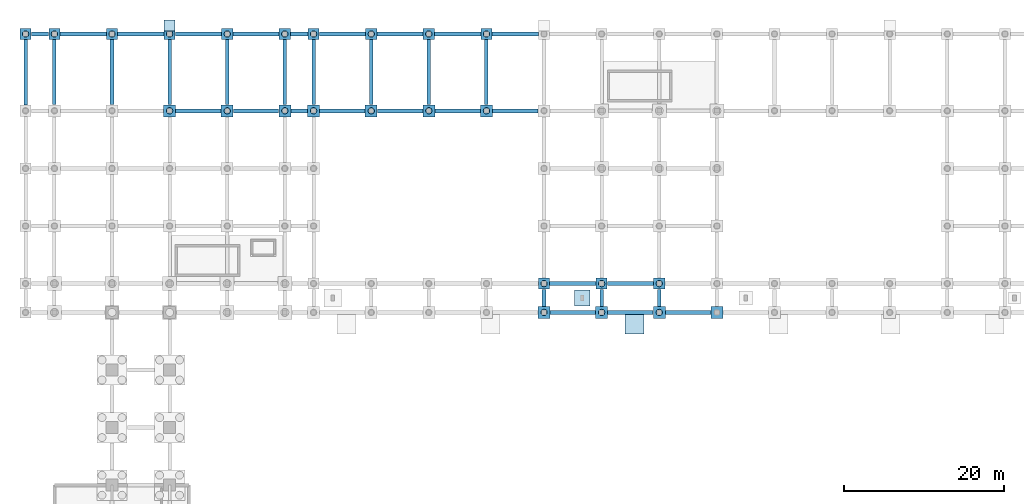
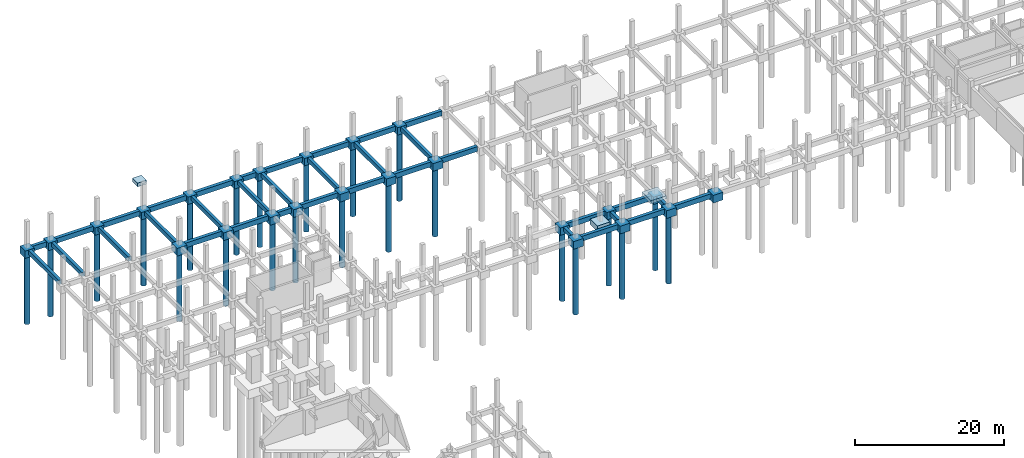
# One storey, part 5 of 20: 62 footings, 23 piles.
"""IFC4 building model written with IfcOpenShell, lengths in metres."""

from ifc_helpers import new_model, si_unit, direction, frame, origin, origin_2d, place, context, subcontext, project, spatial, polyline, rectangle, circle, outline, extrude, material, material_profile, profile_set, type_object, element, save


model = new_model("IFC4")

# Units and contexts
model_context = context("Model", 3, precision=1e-05, world=origin(), true_north=direction((0.0, 1.0)))
body_context = subcontext(model_context, "Body", "Model", "MODEL_VIEW")
ifc_project = project(units=[si_unit("LENGTHUNIT", "METRE"), si_unit("AREAUNIT", "SQUARE_METRE"), si_unit("VOLUMEUNIT", "CUBIC_METRE"), si_unit("PLANEANGLEUNIT", "RADIAN"), si_unit("MASSUNIT", "GRAM", prefix="KILO")], contexts=[model_context])

# Site, building, storey
site_placement = place(None, origin())
site = spatial("IfcSite", under=ifc_project, at=site_placement, CompositionType="ELEMENT")
building_placement = place(site_placement, origin())
building = spatial("IfcBuilding", under=site, at=building_placement, Name="Nzembalo Square Collegiate School", CompositionType="ELEMENT")
storey_placement = place(building_placement, frame((0.0, 0.0, -4.080078125)))
storey = spatial("IfcBuildingStorey", under=building, at=storey_placement, Name="B1", CompositionType="ELEMENT", Elevation=-4.080078125)

# Footings
ifc_material_1 = material(Name="Concrete C35/45", Category="concrete")
footing_type_1 = type_object("IfcFootingType", Name="PC06", PredefinedType="PILE_CAP", material=ifc_material_1)
for number, where, z_axis, x_axis, name in (
    (1, (62.39990234375, 104.39990234375, -1.5498046875), (0.0, 0.0, 1.0), (1.0, 0.0, 0.0), "Pile cap PC06 at 10/P"),
    (2, (69.60009765625, 79.199951171875, -1.5498046875), (0.0, 0.0, 1.0), (1.0, 0.0, 0.0), "Pile cap PC06 at 11/L"),
    (3, (76.800048828125, 79.199951171875, -1.5498046875), (0.0, 0.0, 1.0), (1.0, 0.0, 0.0), "Pile cap PC06 at 12/L"),
    (4, (84.0, 79.199951171875, -1.5498046875), (0.0, 0.0, 1.0), (1.0, 0.0, 0.0), "Pile cap PC06 at 13/L"),
    (5, (91.199951171875, 79.199951171875, -1.5498046875), (0.0, 0.0, 1.0), (1.0, 0.0, 0.0), "Pile cap PC06 at 14/L"),
    (6, (22.800048828125, 104.39990234375, -1.5498046875), (0.0, 0.0, 1.0), (1.0, 0.0, 0.0), "Pile cap PC06 at 4/P"),
    (7, (30.0, 104.39990234375, -1.5498046875), (0.0, 0.0, 1.0), (1.0, 0.0, 0.0), "Pile cap PC06 at 5/P"),
    (8, (37.199951171875, 104.39990234375, -1.5498046875), (0.0, 0.0, 1.0), (1.0, 0.0, 0.0), "Pile cap PC06 at 6/P"),
    (9, (40.800048828125, 104.39990234375, -1.5498046875), (0.0, 0.0, 1.0), (1.0, 0.0, 0.0), "Pile cap PC06 at 7/P"),
    (10, (48.0, 104.39990234375, -1.5498046875), (0.0, 0.0, 1.0), (1.0, 0.0, 0.0), "Pile cap PC06 at 8/P"),
    (11, (55.199951171875, 104.39990234375, -1.5498046875), (0.0, 0.0, 1.0), (1.0, 0.0, 0.0), "Pile cap PC06 at 9/P"),
):
    element("IfcFooting", number, at=place(storey_placement, frame(where, z_axis=z_axis, x_axis=x_axis)), inside=storey, type_object=footing_type_1, Name=name, PredefinedType="PILE_CAP", context=body_context, shape_type="SweptSolid", body=[
        extrude(rectangle(XDim=1.5, YDim=1.5, at=origin_2d()), origin(), (0.0, 0.0, 1.0), 1.25),
    ])
ifc_material_2 = material(Name="Concrete C35/45", Category="concrete")
footing_type_2 = type_object("IfcFootingType", Name="PC07", PredefinedType="PILE_CAP", material=ifc_material_2)
for number, where, z_axis, x_axis, name in (
    (12, (4.800048828125, 114.0, -1.5), (0.0, 0.0, 1.0), (1.0, 0.0, 0.0), "Pile cap PC07 at 1/Q"),
    (13, (62.39990234375, 114.0, -1.5), (0.0, 0.0, 1.0), (1.0, 0.0, 0.0), "Pile cap PC07 at 10/Q"),
    (14, (69.60009765625, 82.800048828125, -1.5), (0.0, 0.0, 1.0), (1.0, 0.0, 0.0), "Pile cap PC07 at 11/M"),
    (15, (76.800048828125, 82.800048828125, -1.5), (0.0, 0.0, 1.0), (1.0, 0.0, 0.0), "Pile cap PC07 at 12/M"),
    (16, (84.0, 82.800048828125, -1.5), (0.0, 0.0, 1.0), (1.0, 0.0, 0.0), "Pile cap PC07 at 13/M"),
    (17, (8.39990234375, 114.0, -1.5), (0.0, 0.0, 1.0), (1.0, 0.0, 0.0), "Pile cap PC07 at 2/Q"),
    (18, (15.60009765625, 114.0, -1.5), (0.0, 0.0, 1.0), (1.0, 0.0, 0.0), "Pile cap PC07 at 3/Q"),
    (19, (22.800048828125, 114.0, -1.5), (0.0, 0.0, 1.0), (1.0, 0.0, 0.0), "Pile cap PC07 at 4/Q"),
    (20, (30.0, 114.0, -1.5), (0.0, 0.0, 1.0), (1.0, 0.0, 0.0), "Pile cap PC07 at 5/Q"),
    (21, (37.199951171875, 114.0, -1.5), (0.0, 0.0, 1.0), (1.0, 0.0, 0.0), "Pile cap PC07 at 6/Q"),
    (22, (40.800048828125, 114.0, -1.5), (0.0, 0.0, 1.0), (1.0, 0.0, 0.0), "Pile cap PC07 at 7/Q"),
    (23, (48.0, 114.0, -1.5), (0.0, 0.0, 1.0), (1.0, 0.0, 0.0), "Pile cap PC07 at 8/Q"),
    (24, (55.199951171875, 114.0, -1.5), (0.0, 0.0, 1.0), (1.0, 0.0, 0.0), "Pile cap PC07 at 9/Q"),
):
    element("IfcFooting", number, at=place(storey_placement, frame(where, z_axis=z_axis, x_axis=x_axis)), inside=storey, type_object=footing_type_2, Name=name, PredefinedType="PILE_CAP", context=body_context, shape_type="SweptSolid", body=[
        extrude(rectangle(XDim=1.39990234375, YDim=1.39990234375, at=origin_2d()), origin(), (0.0, 0.0, 1.0), 1.199951171875),
    ])
ifc_material_3 = material(Name="Concrete C30/37", Category="concrete")
footing_type_3 = type_object("IfcFootingType", Name="FG01", PredefinedType="FOOTING_BEAM", material=ifc_material_3)
footing_1_placement = place(storey_placement, frame((0.0, 0.0, -1.099853515625)))
element("IfcFooting", 25, at=footing_1_placement, inside=storey, type_object=footing_type_3, Name="Ground beam FG01 11-12/L", PredefinedType="FOOTING_BEAM", context=body_context, shape_type="SweptSolid", body=[
    extrude(outline(polyline([(70.360107421875, 78.949951171875), (76.0400390625, 78.949951171875), (76.0400390625, 79.449951171875), (70.360107421875, 79.449951171875), (70.360107421875, 78.949951171875)])), origin(), (0.0, 0.0, 1.0), 0.800048828125),
])
footing_2_placement = place(storey_placement, frame((0.0, 0.0, -1.099853515625)))
element("IfcFooting", 26, at=footing_2_placement, inside=storey, type_object=footing_type_3, Name="Ground beam FG01 12-13/L", PredefinedType="FOOTING_BEAM", context=body_context, shape_type="SweptSolid", body=[
    extrude(outline(polyline([(77.56005859375, 78.949951171875), (83.239990234375, 78.949951171875), (83.239990234375, 79.449951171875), (77.56005859375, 79.449951171875), (77.56005859375, 78.949951171875)])), origin(), (0.0, 0.0, 1.0), 0.800048828125),
])
footing_3_placement = place(storey_placement, frame((0.0, 0.0, -1.099853515625)))
element("IfcFooting", 27, at=footing_3_placement, inside=storey, type_object=footing_type_3, Name="Ground beam FG01 13-14/L", PredefinedType="FOOTING_BEAM", context=body_context, shape_type="SweptSolid", body=[
    extrude(outline(polyline([(84.760009765625, 78.949951171875), (90.43994140625, 78.949951171875), (90.43994140625, 79.449951171875), (84.760009765625, 79.449951171875), (84.760009765625, 78.949951171875)])), origin(), (0.0, 0.0, 1.0), 0.800048828125),
])
footing_4_placement = place(storey_placement, frame((0.0, 0.0, -1.099853515625)))
element("IfcFooting", 28, at=footing_4_placement, inside=storey, type_object=footing_type_3, Name="Ground beam FG01 11-12/M", PredefinedType="FOOTING_BEAM", context=body_context, shape_type="SweptSolid", body=[
    extrude(outline(polyline([(70.31005859375, 82.550048828125), (76.090087890625, 82.550048828125), (76.090087890625, 83.050048828125), (70.31005859375, 83.050048828125), (70.31005859375, 82.550048828125)])), origin(), (0.0, 0.0, 1.0), 0.800048828125),
])
footing_5_placement = place(storey_placement, frame((0.0, 0.0, -1.099853515625)))
element("IfcFooting", 29, at=footing_5_placement, inside=storey, type_object=footing_type_3, Name="Ground beam FG01 12-13/M", PredefinedType="FOOTING_BEAM", context=body_context, shape_type="SweptSolid", body=[
    extrude(outline(polyline([(77.510009765625, 82.550048828125), (83.2900390625, 82.550048828125), (83.2900390625, 83.050048828125), (77.510009765625, 83.050048828125), (77.510009765625, 82.550048828125)])), origin(), (0.0, 0.0, 1.0), 0.800048828125),
])
footing_6_placement = place(storey_placement, frame((0.0, 0.0, -1.099853515625)))
element("IfcFooting", 30, at=footing_6_placement, inside=storey, type_object=footing_type_3, Name="Ground beam FG01 4-5/P", PredefinedType="FOOTING_BEAM", context=body_context, shape_type="SweptSolid", body=[
    extrude(outline(polyline([(23.56005859375, 104.14990234375), (29.239990234375, 104.14990234375), (29.239990234375, 104.64990234375), (23.56005859375, 104.64990234375), (23.56005859375, 104.14990234375)])), origin(), (0.0, 0.0, 1.0), 0.800048828125),
])
footing_7_placement = place(storey_placement, frame((0.0, 0.0, -1.099853515625)))
element("IfcFooting", 31, at=footing_7_placement, inside=storey, type_object=footing_type_3, Name="Ground beam FG01 5-6/P", PredefinedType="FOOTING_BEAM", context=body_context, shape_type="SweptSolid", body=[
    extrude(outline(polyline([(30.760009765625, 104.14990234375), (36.43994140625, 104.14990234375), (36.43994140625, 104.64990234375), (30.760009765625, 104.64990234375), (30.760009765625, 104.14990234375)])), origin(), (0.0, 0.0, 1.0), 0.800048828125),
])
footing_8_placement = place(storey_placement, frame((0.0, 0.0, -1.099853515625)))
element("IfcFooting", 32, at=footing_8_placement, inside=storey, type_object=footing_type_3, Name="Ground beam FG01 6-7/P", PredefinedType="FOOTING_BEAM", context=body_context, shape_type="SweptSolid", body=[
    extrude(outline(polyline([(37.9599609375, 104.14990234375), (40.0400390625, 104.14990234375), (40.0400390625, 104.64990234375), (37.9599609375, 104.64990234375), (37.9599609375, 104.14990234375)])), origin(), (0.0, 0.0, 1.0), 0.800048828125),
])
footing_9_placement = place(storey_placement, frame((0.0, 0.0, -1.099853515625)))
element("IfcFooting", 33, at=footing_9_placement, inside=storey, type_object=footing_type_3, Name="Ground beam FG01 7-8/P", PredefinedType="FOOTING_BEAM", context=body_context, shape_type="SweptSolid", body=[
    extrude(outline(polyline([(41.56005859375, 104.14990234375), (47.239990234375, 104.14990234375), (47.239990234375, 104.64990234375), (41.56005859375, 104.64990234375), (41.56005859375, 104.14990234375)])), origin(), (0.0, 0.0, 1.0), 0.800048828125),
])
footing_10_placement = place(storey_placement, frame((0.0, 0.0, -1.099853515625)))
element("IfcFooting", 34, at=footing_10_placement, inside=storey, type_object=footing_type_3, Name="Ground beam FG01 8-9/P", PredefinedType="FOOTING_BEAM", context=body_context, shape_type="SweptSolid", body=[
    extrude(outline(polyline([(48.760009765625, 104.14990234375), (54.43994140625, 104.14990234375), (54.43994140625, 104.64990234375), (48.760009765625, 104.64990234375), (48.760009765625, 104.14990234375)])), origin(), (0.0, 0.0, 1.0), 0.800048828125),
])
footing_11_placement = place(storey_placement, frame((0.0, 0.0, -1.099853515625)))
element("IfcFooting", 35, at=footing_11_placement, inside=storey, type_object=footing_type_3, Name="Ground beam FG01 9-10/P", PredefinedType="FOOTING_BEAM", context=body_context, shape_type="SweptSolid", body=[
    extrude(outline(polyline([(55.9599609375, 104.14990234375), (61.639892578125, 104.14990234375), (61.639892578125, 104.64990234375), (55.9599609375, 104.64990234375), (55.9599609375, 104.14990234375)])), origin(), (0.0, 0.0, 1.0), 0.800048828125),
])
footing_12_placement = place(storey_placement, frame((0.0, 0.0, -1.099853515625)))
element("IfcFooting", 36, at=footing_12_placement, inside=storey, type_object=footing_type_3, Name="Ground beam FG01 10-11/P", PredefinedType="FOOTING_BEAM", context=body_context, shape_type="SweptSolid", body=[
    extrude(outline(polyline([(63.159912109375, 104.14990234375), (68.840087890625, 104.14990234375), (68.840087890625, 104.64990234375), (63.159912109375, 104.64990234375), (63.159912109375, 104.14990234375)])), origin(), (0.0, 0.0, 1.0), 0.800048828125),
])
footing_13_placement = place(storey_placement, frame((0.0, 0.0, -1.099853515625)))
element("IfcFooting", 37, at=footing_13_placement, inside=storey, type_object=footing_type_3, Name="Ground beam FG01 1-2/Q", PredefinedType="FOOTING_BEAM", context=body_context, shape_type="SweptSolid", body=[
    extrude(outline(polyline([(5.510009765625, 113.75), (7.68994140625, 113.75), (7.68994140625, 114.25), (5.510009765625, 114.25), (5.510009765625, 113.75)])), origin(), (0.0, 0.0, 1.0), 0.800048828125),
])
footing_14_placement = place(storey_placement, frame((0.0, 0.0, -1.099853515625)))
element("IfcFooting", 38, at=footing_14_placement, inside=storey, type_object=footing_type_3, Name="Ground beam FG01 2-3/Q", PredefinedType="FOOTING_BEAM", context=body_context, shape_type="SweptSolid", body=[
    extrude(outline(polyline([(9.110107421875, 113.75), (14.889892578125, 113.75), (14.889892578125, 114.25), (9.110107421875, 114.25), (9.110107421875, 113.75)])), origin(), (0.0, 0.0, 1.0), 0.800048828125),
])
footing_15_placement = place(storey_placement, frame((0.0, 0.0, -1.099853515625)))
element("IfcFooting", 39, at=footing_15_placement, inside=storey, type_object=footing_type_3, Name="Ground beam FG01 3-4/Q", PredefinedType="FOOTING_BEAM", context=body_context, shape_type="SweptSolid", body=[
    extrude(outline(polyline([(16.31005859375, 113.75), (22.090087890625, 113.75), (22.090087890625, 114.25), (16.31005859375, 114.25), (16.31005859375, 113.75)])), origin(), (0.0, 0.0, 1.0), 0.800048828125),
])
footing_16_placement = place(storey_placement, frame((0.0, 0.0, -1.099853515625)))
element("IfcFooting", 40, at=footing_16_placement, inside=storey, type_object=footing_type_3, Name="Ground beam FG01 4-5/Q", PredefinedType="FOOTING_BEAM", context=body_context, shape_type="SweptSolid", body=[
    extrude(outline(polyline([(23.510009765625, 113.75), (29.2900390625, 113.75), (29.2900390625, 114.25), (23.510009765625, 114.25), (23.510009765625, 113.75)])), origin(), (0.0, 0.0, 1.0), 0.800048828125),
])
footing_17_placement = place(storey_placement, frame((0.0, 0.0, -1.099853515625)))
element("IfcFooting", 41, at=footing_17_placement, inside=storey, type_object=footing_type_3, Name="Ground beam FG01 5-6/Q", PredefinedType="FOOTING_BEAM", context=body_context, shape_type="SweptSolid", body=[
    extrude(outline(polyline([(30.7099609375, 113.75), (36.489990234375, 113.75), (36.489990234375, 114.25), (30.7099609375, 114.25), (30.7099609375, 113.75)])), origin(), (0.0, 0.0, 1.0), 0.800048828125),
])
footing_18_placement = place(storey_placement, frame((0.0, 0.0, -1.099853515625)))
element("IfcFooting", 42, at=footing_18_placement, inside=storey, type_object=footing_type_3, Name="Ground beam FG01 6-7/Q", PredefinedType="FOOTING_BEAM", context=body_context, shape_type="SweptSolid", body=[
    extrude(outline(polyline([(37.909912109375, 113.75), (40.090087890625, 113.75), (40.090087890625, 114.25), (37.909912109375, 114.25), (37.909912109375, 113.75)])), origin(), (0.0, 0.0, 1.0), 0.800048828125),
])
footing_19_placement = place(storey_placement, frame((0.0, 0.0, -1.099853515625)))
element("IfcFooting", 43, at=footing_19_placement, inside=storey, type_object=footing_type_3, Name="Ground beam FG01 7-8/Q", PredefinedType="FOOTING_BEAM", context=body_context, shape_type="SweptSolid", body=[
    extrude(outline(polyline([(41.510009765625, 113.75), (47.2900390625, 113.75), (47.2900390625, 114.25), (41.510009765625, 114.25), (41.510009765625, 113.75)])), origin(), (0.0, 0.0, 1.0), 0.800048828125),
])
footing_20_placement = place(storey_placement, frame((0.0, 0.0, -1.099853515625)))
element("IfcFooting", 44, at=footing_20_placement, inside=storey, type_object=footing_type_3, Name="Ground beam FG01 8-9/Q", PredefinedType="FOOTING_BEAM", context=body_context, shape_type="SweptSolid", body=[
    extrude(outline(polyline([(48.7099609375, 113.75), (54.489990234375, 113.75), (54.489990234375, 114.25), (48.7099609375, 114.25), (48.7099609375, 113.75)])), origin(), (0.0, 0.0, 1.0), 0.800048828125),
])
footing_21_placement = place(storey_placement, frame((0.0, 0.0, -1.099853515625)))
element("IfcFooting", 45, at=footing_21_placement, inside=storey, type_object=footing_type_3, Name="Ground beam FG01 9-10/Q", PredefinedType="FOOTING_BEAM", context=body_context, shape_type="SweptSolid", body=[
    extrude(outline(polyline([(55.909912109375, 113.75), (61.68994140625, 113.75), (61.68994140625, 114.25), (55.909912109375, 114.25), (55.909912109375, 113.75)])), origin(), (0.0, 0.0, 1.0), 0.800048828125),
])
footing_22_placement = place(storey_placement, frame((0.0, 0.0, -1.099853515625)))
element("IfcFooting", 46, at=footing_22_placement, inside=storey, type_object=footing_type_3, Name="Ground beam FG01 10-11/Q", PredefinedType="FOOTING_BEAM", context=body_context, shape_type="SweptSolid", body=[
    extrude(outline(polyline([(63.110107421875, 113.75), (68.889892578125, 113.75), (68.889892578125, 114.25), (63.110107421875, 114.25), (63.110107421875, 113.75)])), origin(), (0.0, 0.0, 1.0), 0.800048828125),
])
ifc_material_4 = material(Name="Concrete C30/37", Category="concrete")
footing_type_4 = type_object("IfcFootingType", Name="FG02", PredefinedType="FOOTING_BEAM", material=ifc_material_4)
footing_23_placement = place(storey_placement, frame((0.0, 0.0, -1.0)))
element("IfcFooting", 47, at=footing_23_placement, inside=storey, type_object=footing_type_4, Name="Ground beam FG02 1/P-Q", PredefinedType="FOOTING_BEAM", context=body_context, shape_type="SweptSolid", body=[
    extrude(outline(polyline([(4.574951171875, 105.110107421875), (5.02490234375, 105.110107421875), (5.02490234375, 113.2900390625), (4.574951171875, 113.2900390625), (4.574951171875, 105.110107421875)])), origin(), (0.0, 0.0, 1.0), 0.7001953125),
])
footing_24_placement = place(storey_placement, frame((0.0, 0.0, -1.0)))
element("IfcFooting", 48, at=footing_24_placement, inside=storey, type_object=footing_type_4, Name="Ground beam FG02 2/P-Q", PredefinedType="FOOTING_BEAM", context=body_context, shape_type="SweptSolid", body=[
    extrude(outline(polyline([(8.175048828125, 105.159912109375), (8.625, 105.159912109375), (8.625, 113.2900390625), (8.175048828125, 113.2900390625), (8.175048828125, 105.159912109375)])), origin(), (0.0, 0.0, 1.0), 0.7001953125),
])
footing_25_placement = place(storey_placement, frame((0.0, 0.0, -1.0)))
element("IfcFooting", 49, at=footing_25_placement, inside=storey, type_object=footing_type_4, Name="Ground beam FG02 3/P-Q", PredefinedType="FOOTING_BEAM", context=body_context, shape_type="SweptSolid", body=[
    extrude(outline(polyline([(15.375, 105.159912109375), (15.824951171875, 105.159912109375), (15.824951171875, 113.2900390625), (15.375, 113.2900390625), (15.375, 105.159912109375)])), origin(), (0.0, 0.0, 1.0), 0.7001953125),
])
footing_26_placement = place(storey_placement, frame((0.0, 0.0, -1.0)))
element("IfcFooting", 50, at=footing_26_placement, inside=storey, type_object=footing_type_4, Name="Ground beam FG02 4/P-Q", PredefinedType="FOOTING_BEAM", context=body_context, shape_type="SweptSolid", body=[
    extrude(outline(polyline([(22.574951171875, 105.159912109375), (23.02490234375, 105.159912109375), (23.02490234375, 113.2900390625), (22.574951171875, 113.2900390625), (22.574951171875, 105.159912109375)])), origin(), (0.0, 0.0, 1.0), 0.7001953125),
])
footing_27_placement = place(storey_placement, frame((0.0, 0.0, -1.0)))
element("IfcFooting", 51, at=footing_27_placement, inside=storey, type_object=footing_type_4, Name="Ground beam FG02 5/P-Q", PredefinedType="FOOTING_BEAM", context=body_context, shape_type="SweptSolid", body=[
    extrude(outline(polyline([(29.77490234375, 105.159912109375), (30.22509765625, 105.159912109375), (30.22509765625, 113.2900390625), (29.77490234375, 113.2900390625), (29.77490234375, 105.159912109375)])), origin(), (0.0, 0.0, 1.0), 0.7001953125),
])
footing_28_placement = place(storey_placement, frame((0.0, 0.0, -1.0)))
element("IfcFooting", 52, at=footing_28_placement, inside=storey, type_object=footing_type_4, Name="Ground beam FG02 6/P-Q", PredefinedType="FOOTING_BEAM", context=body_context, shape_type="SweptSolid", body=[
    extrude(outline(polyline([(36.97509765625, 105.159912109375), (37.425048828125, 105.159912109375), (37.425048828125, 113.2900390625), (36.97509765625, 113.2900390625), (36.97509765625, 105.159912109375)])), origin(), (0.0, 0.0, 1.0), 0.7001953125),
])
footing_29_placement = place(storey_placement, frame((0.0, 0.0, -1.0)))
element("IfcFooting", 53, at=footing_29_placement, inside=storey, type_object=footing_type_4, Name="Ground beam FG02 7/P-Q", PredefinedType="FOOTING_BEAM", context=body_context, shape_type="SweptSolid", body=[
    extrude(outline(polyline([(40.574951171875, 105.159912109375), (41.02490234375, 105.159912109375), (41.02490234375, 113.2900390625), (40.574951171875, 113.2900390625), (40.574951171875, 105.159912109375)])), origin(), (0.0, 0.0, 1.0), 0.7001953125),
])
footing_30_placement = place(storey_placement, frame((0.0, 0.0, -1.0)))
element("IfcFooting", 54, at=footing_30_placement, inside=storey, type_object=footing_type_4, Name="Ground beam FG02 8/P-Q", PredefinedType="FOOTING_BEAM", context=body_context, shape_type="SweptSolid", body=[
    extrude(outline(polyline([(47.77490234375, 105.159912109375), (48.22509765625, 105.159912109375), (48.22509765625, 113.2900390625), (47.77490234375, 113.2900390625), (47.77490234375, 105.159912109375)])), origin(), (0.0, 0.0, 1.0), 0.7001953125),
])
footing_31_placement = place(storey_placement, frame((0.0, 0.0, -1.0)))
element("IfcFooting", 55, at=footing_31_placement, inside=storey, type_object=footing_type_4, Name="Ground beam FG02 9/P-Q", PredefinedType="FOOTING_BEAM", context=body_context, shape_type="SweptSolid", body=[
    extrude(outline(polyline([(54.97509765625, 105.159912109375), (55.425048828125, 105.159912109375), (55.425048828125, 113.2900390625), (54.97509765625, 113.2900390625), (54.97509765625, 105.159912109375)])), origin(), (0.0, 0.0, 1.0), 0.7001953125),
])
footing_32_placement = place(storey_placement, frame((0.0, 0.0, -1.0)))
element("IfcFooting", 56, at=footing_32_placement, inside=storey, type_object=footing_type_4, Name="Ground beam FG02 10/P-Q", PredefinedType="FOOTING_BEAM", context=body_context, shape_type="SweptSolid", body=[
    extrude(outline(polyline([(62.175048828125, 105.159912109375), (62.625, 105.159912109375), (62.625, 113.2900390625), (62.175048828125, 113.2900390625), (62.175048828125, 105.159912109375)])), origin(), (0.0, 0.0, 1.0), 0.7001953125),
])
footing_33_placement = place(storey_placement, frame((0.0, 0.0, -1.0)))
element("IfcFooting", 57, at=footing_33_placement, inside=storey, type_object=footing_type_4, Name="Ground beam FG02 11/L-M", PredefinedType="FOOTING_BEAM", context=body_context, shape_type="SweptSolid", body=[
    extrude(outline(polyline([(69.375, 79.9599609375), (69.824951171875, 79.9599609375), (69.824951171875, 82.090087890625), (69.375, 82.090087890625), (69.375, 79.9599609375)])), origin(), (0.0, 0.0, 1.0), 0.7001953125),
])
footing_34_placement = place(storey_placement, frame((0.0, 0.0, -1.0)))
element("IfcFooting", 58, at=footing_34_placement, inside=storey, type_object=footing_type_4, Name="Ground beam FG02 12/L-M", PredefinedType="FOOTING_BEAM", context=body_context, shape_type="SweptSolid", body=[
    extrude(outline(polyline([(76.574951171875, 79.9599609375), (77.02490234375, 79.9599609375), (77.02490234375, 82.090087890625), (76.574951171875, 82.090087890625), (76.574951171875, 79.9599609375)])), origin(), (0.0, 0.0, 1.0), 0.7001953125),
])
footing_35_placement = place(storey_placement, frame((0.0, 0.0, -1.0)))
element("IfcFooting", 59, at=footing_35_placement, inside=storey, type_object=footing_type_4, Name="Ground beam FG02 13/L-M", PredefinedType="FOOTING_BEAM", context=body_context, shape_type="SweptSolid", body=[
    extrude(outline(polyline([(83.77490234375, 79.9599609375), (84.22509765625, 79.9599609375), (84.22509765625, 82.090087890625), (83.77490234375, 82.090087890625), (83.77490234375, 79.9599609375)])), origin(), (0.0, 0.0, 1.0), 0.7001953125),
])
ifc_material_5 = material(Name="Concrete C35/45", Category="concrete")
footing_type_5 = type_object("IfcFootingType", Name="PF02", PredefinedType="PAD_FOOTING", material=ifc_material_5)
footing_36_placement = place(storey_placement, frame((74.39990234375, 81.0, -1.14990234375), z_axis=(0.0, 0.0, 1.0), x_axis=(1.0, 0.0, 0.0)))
element("IfcFooting", 60, at=footing_36_placement, inside=storey, type_object=footing_type_5, Name="Pad footing PF2", PredefinedType="PAD_FOOTING", context=body_context, shape_type="SweptSolid", body=[
    extrude(rectangle(XDim=1.949951171875, YDim=1.949951171875, at=origin_2d()), origin(), (0.0, 0.0, 1.0), 0.85009765625),
])
ifc_material_6 = material(Name="Concrete C35/45", Category="concrete")
footing_type_6 = type_object("IfcFootingType", Name="PF05", PredefinedType="PAD_FOOTING", material=ifc_material_6)
footing_37_placement = place(storey_placement, frame((80.89990234375, 77.719970703125, 3.260009765625), z_axis=(0.0, 0.0, 1.0), x_axis=(1.0, 0.0, 0.0)))
element("IfcFooting", 61, at=footing_37_placement, inside=storey, type_object=footing_type_6, Name="Ramp foundation pad PF05-03", PredefinedType="PAD_FOOTING", context=body_context, shape_type="SweptSolid", body=[
    extrude(rectangle(XDim=2.39990234375, YDim=2.39990234375, at=origin_2d()), origin(), (0.0, 0.0, 1.0), 0.5),
])
ifc_material_7 = material(Name="Concrete C35/45", Category="concrete")
footing_type_7 = type_object("IfcFootingType", Name="PF06", PredefinedType="PAD_FOOTING", material=ifc_material_7)
footing_38_placement = place(storey_placement, frame((22.800048828125, 115.050048828125, 3.260009765625), z_axis=(0.0, 0.0, 1.0), x_axis=(1.0, 0.0, 0.0)))
element("IfcFooting", 62, at=footing_38_placement, inside=storey, type_object=footing_type_7, Name="Apron foundation pad PF06-01", PredefinedType="PAD_FOOTING", context=body_context, shape_type="SweptSolid", body=[
    extrude(rectangle(XDim=1.39990234375, YDim=1.39990234375, at=origin_2d()), origin(), (0.0, 0.0, 1.0), 0.60009765625),
])

# Piles
ifc_material_8 = material(Name="Concrete C30/37", Category="concrete")
ifc_material_profile = material_profile(ifc_material_8, circle(Radius=0.39990234375, at=origin_2d()), Name="PILE D800")
ifc_profile_set = profile_set([ifc_material_profile], Name="Concrete C30/37")
pile_type = type_object("IfcPileType", Name="P02", PredefinedType="BORED", material=ifc_profile_set)
pile_1_placement = place(storey_placement, frame((4.800048828125, 114.0, -1.39990234375), z_axis=(0.0, 0.0, -1.0), x_axis=(1.0, 0.0, 0.0)))
element("IfcPile", 63, at=pile_1_placement, inside=storey, type_object=pile_type, Name="Bored pile P02-014", PredefinedType="BORED", context=body_context, shape_type="SweptSolid", body=[
    extrude(circle(Radius=0.39990234375, at=origin_2d()), origin(), (0.0, 0.0, 1.0), 11.320068359375),
])
pile_2_placement = place(storey_placement, frame((62.39990234375, 104.39990234375, -1.449951171875), z_axis=(0.0, 0.0, -1.0), x_axis=(1.0, 0.0, 0.0)))
element("IfcPile", 64, at=pile_2_placement, inside=storey, type_object=pile_type, Name="Bored pile P02-017", PredefinedType="BORED", context=body_context, shape_type="SweptSolid", body=[
    extrude(circle(Radius=0.39990234375, at=origin_2d()), origin(), (0.0, 0.0, 1.0), 11.27001953125),
])
pile_3_placement = place(storey_placement, frame((62.39990234375, 114.0, -1.39990234375), z_axis=(0.0, 0.0, -1.0), x_axis=(1.0, 0.0, 0.0)))
element("IfcPile", 65, at=pile_3_placement, inside=storey, type_object=pile_type, Name="Bored pile P02-018", PredefinedType="BORED", context=body_context, shape_type="SweptSolid", body=[
    extrude(circle(Radius=0.39990234375, at=origin_2d()), origin(), (0.0, 0.0, 1.0), 11.320068359375),
])
pile_4_placement = place(storey_placement, frame((69.60009765625, 79.199951171875, -1.449951171875), z_axis=(0.0, 0.0, -1.0), x_axis=(1.0, 0.0, 0.0)))
element("IfcPile", 66, at=pile_4_placement, inside=storey, type_object=pile_type, Name="Bored pile P02-019", PredefinedType="BORED", context=body_context, shape_type="SweptSolid", body=[
    extrude(circle(Radius=0.39990234375, at=origin_2d()), origin(), (0.0, 0.0, 1.0), 11.27001953125),
])
pile_5_placement = place(storey_placement, frame((69.60009765625, 82.800048828125, -1.39990234375), z_axis=(0.0, 0.0, -1.0), x_axis=(1.0, 0.0, 0.0)))
element("IfcPile", 67, at=pile_5_placement, inside=storey, type_object=pile_type, Name="Bored pile P02-020", PredefinedType="BORED", context=body_context, shape_type="SweptSolid", body=[
    extrude(circle(Radius=0.39990234375, at=origin_2d()), origin(), (0.0, 0.0, 1.0), 11.320068359375),
])
pile_6_placement = place(storey_placement, frame((76.800048828125, 79.199951171875, -1.449951171875), z_axis=(0.0, 0.0, -1.0), x_axis=(1.0, 0.0, 0.0)))
element("IfcPile", 68, at=pile_6_placement, inside=storey, type_object=pile_type, Name="Bored pile P02-025", PredefinedType="BORED", context=body_context, shape_type="SweptSolid", body=[
    extrude(circle(Radius=0.39990234375, at=origin_2d()), origin(), (0.0, 0.0, 1.0), 11.27001953125),
])
pile_7_placement = place(storey_placement, frame((76.800048828125, 82.800048828125, -1.39990234375), z_axis=(0.0, 0.0, -1.0), x_axis=(1.0, 0.0, 0.0)))
element("IfcPile", 69, at=pile_7_placement, inside=storey, type_object=pile_type, Name="Bored pile P02-026", PredefinedType="BORED", context=body_context, shape_type="SweptSolid", body=[
    extrude(circle(Radius=0.39990234375, at=origin_2d()), origin(), (0.0, 0.0, 1.0), 11.320068359375),
])
pile_8_placement = place(storey_placement, frame((84.0, 79.199951171875, -1.449951171875), z_axis=(0.0, 0.0, -1.0), x_axis=(1.0, 0.0, 0.0)))
element("IfcPile", 70, at=pile_8_placement, inside=storey, type_object=pile_type, Name="Bored pile P02-031", PredefinedType="BORED", context=body_context, shape_type="SweptSolid", body=[
    extrude(circle(Radius=0.39990234375, at=origin_2d()), origin(), (0.0, 0.0, 1.0), 11.27001953125),
])
for number, where, z_axis, x_axis, name in (
    (71, (84.0, 82.800048828125, -1.39990234375), (0.0, 0.0, -1.0), (1.0, 0.0, 0.0), "Bored pile P02-032"),
    (72, (8.39990234375, 114.0, -1.39990234375), (0.0, 0.0, -1.0), (1.0, 0.0, 0.0), "Bored pile P02-080"),
    (73, (15.60009765625, 114.0, -1.39990234375), (0.0, 0.0, -1.0), (1.0, 0.0, 0.0), "Bored pile P02-255"),
):
    element("IfcPile", number, at=place(storey_placement, frame(where, z_axis=z_axis, x_axis=x_axis)), inside=storey, type_object=pile_type, Name=name, PredefinedType="BORED", context=body_context, shape_type="SweptSolid", body=[
        extrude(circle(Radius=0.39990234375, at=origin_2d()), origin(), (0.0, 0.0, 1.0), 11.320068359375),
    ])
pile_9_placement = place(storey_placement, frame((22.800048828125, 104.39990234375, -1.449951171875), z_axis=(0.0, 0.0, -1.0), x_axis=(1.0, 0.0, 0.0)))
element("IfcPile", 74, at=pile_9_placement, inside=storey, type_object=pile_type, Name="Bored pile P02-279", PredefinedType="BORED", context=body_context, shape_type="SweptSolid", body=[
    extrude(circle(Radius=0.39990234375, at=origin_2d()), origin(), (0.0, 0.0, 1.0), 11.27001953125),
])
pile_10_placement = place(storey_placement, frame((22.800048828125, 114.0, -1.39990234375), z_axis=(0.0, 0.0, -1.0), x_axis=(1.0, 0.0, 0.0)))
element("IfcPile", 75, at=pile_10_placement, inside=storey, type_object=pile_type, Name="Bored pile P02-280", PredefinedType="BORED", context=body_context, shape_type="SweptSolid", body=[
    extrude(circle(Radius=0.39990234375, at=origin_2d()), origin(), (0.0, 0.0, 1.0), 11.320068359375),
])
pile_11_placement = place(storey_placement, frame((30.0, 104.39990234375, -1.449951171875), z_axis=(0.0, 0.0, -1.0), x_axis=(1.0, 0.0, 0.0)))
element("IfcPile", 76, at=pile_11_placement, inside=storey, type_object=pile_type, Name="Bored pile P02-292", PredefinedType="BORED", context=body_context, shape_type="SweptSolid", body=[
    extrude(circle(Radius=0.39990234375, at=origin_2d()), origin(), (0.0, 0.0, 1.0), 11.27001953125),
])
pile_12_placement = place(storey_placement, frame((30.0, 114.0, -1.39990234375), z_axis=(0.0, 0.0, -1.0), x_axis=(1.0, 0.0, 0.0)))
element("IfcPile", 77, at=pile_12_placement, inside=storey, type_object=pile_type, Name="Bored pile P02-293", PredefinedType="BORED", context=body_context, shape_type="SweptSolid", body=[
    extrude(circle(Radius=0.39990234375, at=origin_2d()), origin(), (0.0, 0.0, 1.0), 11.320068359375),
])
pile_13_placement = place(storey_placement, frame((37.199951171875, 104.39990234375, -1.449951171875), z_axis=(0.0, 0.0, -1.0), x_axis=(1.0, 0.0, 0.0)))
element("IfcPile", 78, at=pile_13_placement, inside=storey, type_object=pile_type, Name="Bored pile P02-306", PredefinedType="BORED", context=body_context, shape_type="SweptSolid", body=[
    extrude(circle(Radius=0.39990234375, at=origin_2d()), origin(), (0.0, 0.0, 1.0), 11.27001953125),
])
pile_14_placement = place(storey_placement, frame((37.199951171875, 114.0, -1.39990234375), z_axis=(0.0, 0.0, -1.0), x_axis=(1.0, 0.0, 0.0)))
element("IfcPile", 79, at=pile_14_placement, inside=storey, type_object=pile_type, Name="Bored pile P02-307", PredefinedType="BORED", context=body_context, shape_type="SweptSolid", body=[
    extrude(circle(Radius=0.39990234375, at=origin_2d()), origin(), (0.0, 0.0, 1.0), 11.320068359375),
])
pile_15_placement = place(storey_placement, frame((40.800048828125, 104.39990234375, -1.449951171875), z_axis=(0.0, 0.0, -1.0), x_axis=(1.0, 0.0, 0.0)))
element("IfcPile", 80, at=pile_15_placement, inside=storey, type_object=pile_type, Name="Bored pile P02-320", PredefinedType="BORED", context=body_context, shape_type="SweptSolid", body=[
    extrude(circle(Radius=0.39990234375, at=origin_2d()), origin(), (0.0, 0.0, 1.0), 11.27001953125),
])
pile_16_placement = place(storey_placement, frame((40.800048828125, 114.0, -1.39990234375), z_axis=(0.0, 0.0, -1.0), x_axis=(1.0, 0.0, 0.0)))
element("IfcPile", 81, at=pile_16_placement, inside=storey, type_object=pile_type, Name="Bored pile P02-321", PredefinedType="BORED", context=body_context, shape_type="SweptSolid", body=[
    extrude(circle(Radius=0.39990234375, at=origin_2d()), origin(), (0.0, 0.0, 1.0), 11.320068359375),
])
pile_17_placement = place(storey_placement, frame((48.0, 104.39990234375, -1.449951171875), z_axis=(0.0, 0.0, -1.0), x_axis=(1.0, 0.0, 0.0)))
element("IfcPile", 82, at=pile_17_placement, inside=storey, type_object=pile_type, Name="Bored pile P02-324", PredefinedType="BORED", context=body_context, shape_type="SweptSolid", body=[
    extrude(circle(Radius=0.39990234375, at=origin_2d()), origin(), (0.0, 0.0, 1.0), 11.27001953125),
])
pile_18_placement = place(storey_placement, frame((48.0, 114.0, -1.39990234375), z_axis=(0.0, 0.0, -1.0), x_axis=(1.0, 0.0, 0.0)))
element("IfcPile", 83, at=pile_18_placement, inside=storey, type_object=pile_type, Name="Bored pile P02-325", PredefinedType="BORED", context=body_context, shape_type="SweptSolid", body=[
    extrude(circle(Radius=0.39990234375, at=origin_2d()), origin(), (0.0, 0.0, 1.0), 11.320068359375),
])
pile_19_placement = place(storey_placement, frame((55.199951171875, 104.39990234375, -1.449951171875), z_axis=(0.0, 0.0, -1.0), x_axis=(1.0, 0.0, 0.0)))
element("IfcPile", 84, at=pile_19_placement, inside=storey, type_object=pile_type, Name="Bored pile P02-328", PredefinedType="BORED", context=body_context, shape_type="SweptSolid", body=[
    extrude(circle(Radius=0.39990234375, at=origin_2d()), origin(), (0.0, 0.0, 1.0), 11.27001953125),
])
pile_20_placement = place(storey_placement, frame((55.199951171875, 114.0, -1.39990234375), z_axis=(0.0, 0.0, -1.0), x_axis=(1.0, 0.0, 0.0)))
element("IfcPile", 85, at=pile_20_placement, inside=storey, type_object=pile_type, Name="Bored pile P02-329", PredefinedType="BORED", context=body_context, shape_type="SweptSolid", body=[
    extrude(circle(Radius=0.39990234375, at=origin_2d()), origin(), (0.0, 0.0, 1.0), 11.320068359375),
])

save(model, "model.ifc")
